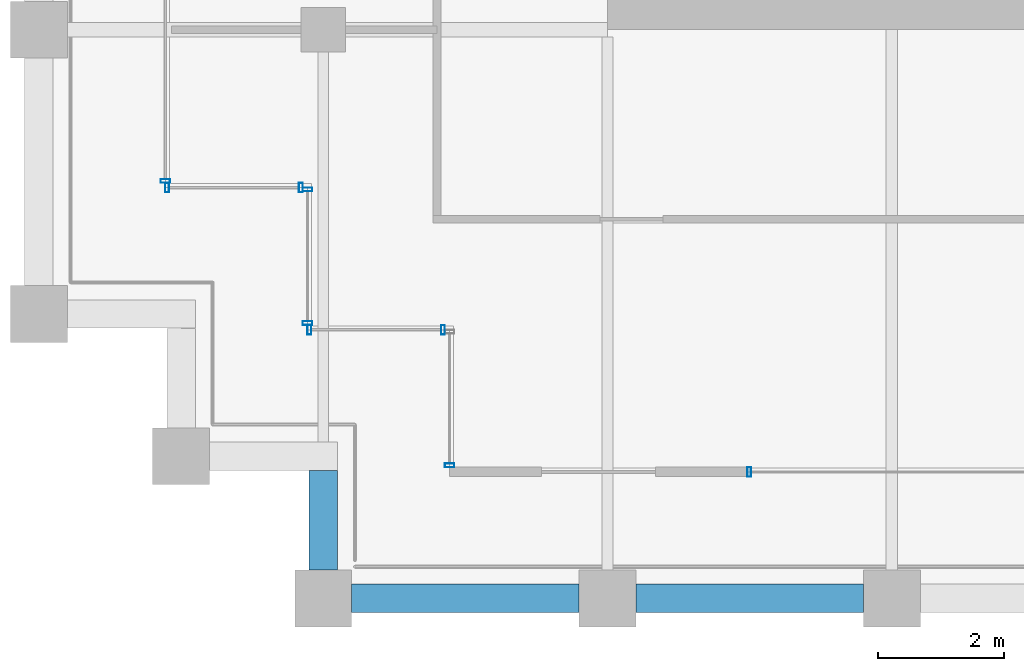
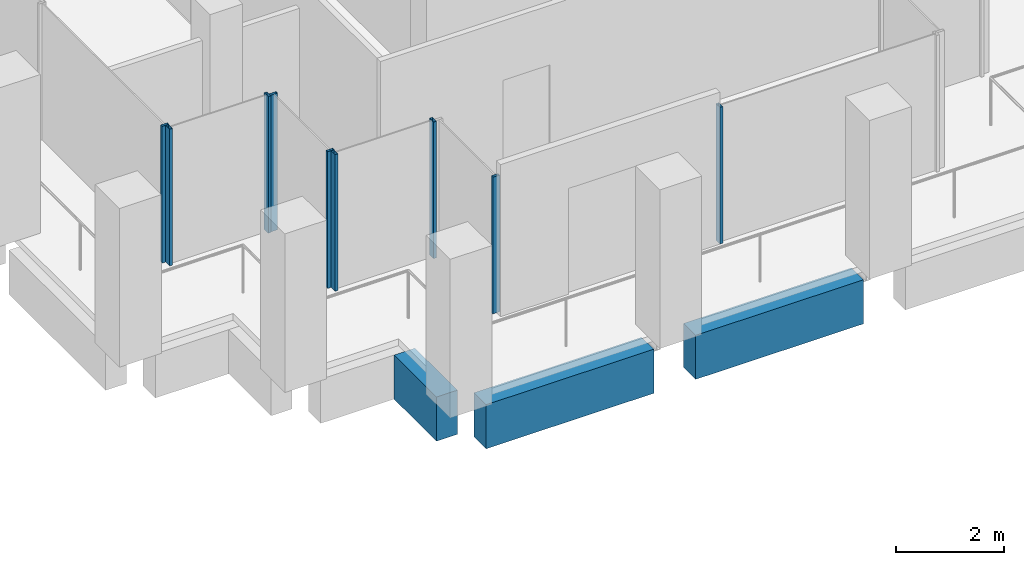
# One storey, part 28 of 40: 9 members, 3 beams, 6 elements without a shape of their own.
"""IFC4 building model written with IfcOpenShell, lengths in metres."""

from ifc_helpers import new_model, si_unit, direction, frame, origin, origin_2d, place, context, subcontext, project, spatial, rectangle, hollow_rectangle, extrude, material, material_profile, profile_set, type_object, element, aggregate, save


model = new_model("IFC4")

# Units and contexts
model_context = context("Model", 3, precision=1e-05, world=origin(), true_north=direction((0.0, 1.0)))
body_context = subcontext(model_context, "Body", "Model", "MODEL_VIEW")
ifc_project = project(units=[si_unit("LENGTHUNIT", "METRE"), si_unit("AREAUNIT", "SQUARE_METRE"), si_unit("VOLUMEUNIT", "CUBIC_METRE"), si_unit("PLANEANGLEUNIT", "RADIAN"), si_unit("MASSUNIT", "GRAM", prefix="KILO")], contexts=[model_context])

# Site, building, storey
site_placement = place(None, origin())
site = spatial("IfcSite", under=ifc_project, at=site_placement, CompositionType="ELEMENT")
building_placement = place(site_placement, origin())
building = spatial("IfcBuilding", under=site, at=building_placement, Name="Altepetl Exchange Towers", CompositionType="ELEMENT")
storey_placement = place(building_placement, frame((0.0, 0.0, 158.199951171875)))
storey = spatial("IfcBuildingStorey", under=building, at=storey_placement, Name="L39", CompositionType="ELEMENT", Elevation=158.199951171875)

# Curtain wall, member
ifc_material_1 = material(Name="Aluminium 6063-T6 glazing", Category="aluminium")
curtain_wall_type = type_object("IfcCurtainWallType", Name="Loggia glazing system", PredefinedType="NOTDEFINED", material=ifc_material_1)
curtain_wall_1_placement = place(storey_placement, origin())
curtain_wall_1 = element("IfcCurtainWall", 1, at=curtain_wall_1_placement, inside=storey, type_object=curtain_wall_type, Name="CW1 run", PredefinedType="NOTDEFINED")
ifc_material_2 = material(Name="Aluminium 6063-T6", Category="aluminium")
ifc_material_profile_1 = material_profile(ifc_material_2, hollow_rectangle(XDim=0.06005859375, YDim=0.14990234375, WallThickness=0.0029296875, at=origin_2d()), Name="Mullion 60x150 aluminium")
ifc_profile_set_1 = profile_set([ifc_material_profile_1], Name="Aluminium 6063-T6")
member_type = type_object("IfcMemberType", Name="Mullion 60x150 aluminium", PredefinedType="MULLION", material=ifc_profile_set_1)
member_1_placement = place(storey_placement, frame((101.0, 29.10498046875, 0.0), z_axis=(0.0, 0.0, 1.0), x_axis=(0.0, -1.0, 0.0)))
member_1 = element("IfcMember", 2, at=member_1_placement, type_object=member_type, Name="MU1 mullion", PredefinedType="MULLION", context=body_context, shape_type="SweptSolid", body=[
    extrude(hollow_rectangle(XDim=0.06005859375, YDim=0.14990234375, WallThickness=0.0029296875, at=origin_2d()), origin(), (0.0, 0.0, 1.0), 3.10009765625),
])
aggregate(curtain_wall_1, [member_1])

curtain_wall_2_placement = place(storey_placement, origin())
curtain_wall_2 = element("IfcCurtainWall", 3, at=curtain_wall_2_placement, inside=storey, type_object=curtain_wall_type, Name="CW1 run", PredefinedType="NOTDEFINED")
member_2_placement = place(storey_placement, frame((105.742431640625, 29.0, 0.0)))
member_2 = element("IfcMember", 4, at=member_2_placement, type_object=member_type, Name="MU1 mullion", PredefinedType="MULLION", context=body_context, shape_type="SweptSolid", body=[
    extrude(hollow_rectangle(XDim=0.06005859375, YDim=0.14990234375, WallThickness=0.0029296875, at=origin_2d()), origin(), (0.0, 0.0, 1.0), 3.10009765625),
])
aggregate(curtain_wall_2, [member_2])

curtain_wall_3_placement = place(storey_placement, origin())
curtain_wall_3 = element("IfcCurtainWall", 5, at=curtain_wall_3_placement, inside=storey, type_object=curtain_wall_type, Name="CW1 run", PredefinedType="NOTDEFINED")
member_3_placement = place(storey_placement, frame((96.5, 33.60498046875, 0.0), z_axis=(0.0, 0.0, 1.0), x_axis=(0.0, -1.0, 0.0)))
member_3 = element("IfcMember", 6, at=member_3_placement, type_object=member_type, Name="MU1 mullion", PredefinedType="MULLION", context=body_context, shape_type="SweptSolid", body=[
    extrude(hollow_rectangle(XDim=0.06005859375, YDim=0.14990234375, WallThickness=0.0029296875, at=origin_2d()), origin(), (0.0, 0.0, 1.0), 3.10009765625),
])
aggregate(curtain_wall_3, [member_3])

# Curtain wall, members
curtain_wall_4_placement = place(storey_placement, origin())
curtain_wall_4 = element("IfcCurtainWall", 7, at=curtain_wall_4_placement, inside=storey, type_object=curtain_wall_type, Name="CW1 run", PredefinedType="NOTDEFINED")
member_4_placement = place(storey_placement, frame((96.530029296875, 33.5, 0.0)))
member_4 = element("IfcMember", 8, at=member_4_placement, type_object=member_type, Name="MU1 mullion", PredefinedType="MULLION", context=body_context, shape_type="SweptSolid", body=[
    extrude(hollow_rectangle(XDim=0.06005859375, YDim=0.14990234375, WallThickness=0.0029296875, at=origin_2d()), origin(), (0.0, 0.0, 1.0), 3.10009765625),
])
member_5_placement = place(storey_placement, frame((98.64501953125, 33.5, 0.0)))
member_5 = element("IfcMember", 9, at=member_5_placement, type_object=member_type, Name="MU1 mullion", PredefinedType="MULLION", context=body_context, shape_type="SweptSolid", body=[
    extrude(hollow_rectangle(XDim=0.06005859375, YDim=0.14990234375, WallThickness=0.0029296875, at=origin_2d()), origin(), (0.0, 0.0, 1.0), 3.10009765625),
])
aggregate(curtain_wall_4, [member_4, member_5])

curtain_wall_5_placement = place(storey_placement, origin())
curtain_wall_5 = element("IfcCurtainWall", 10, at=curtain_wall_5_placement, inside=storey, type_object=curtain_wall_type, Name="CW1 run", PredefinedType="NOTDEFINED")
member_6_placement = place(storey_placement, frame((98.75, 33.469970703125, 0.0), z_axis=(0.0, 0.0, 1.0), x_axis=(0.0, -1.0, 0.0)))
member_6 = element("IfcMember", 11, at=member_6_placement, type_object=member_type, Name="MU1 mullion", PredefinedType="MULLION", context=body_context, shape_type="SweptSolid", body=[
    extrude(hollow_rectangle(XDim=0.06005859375, YDim=0.14990234375, WallThickness=0.0029296875, at=origin_2d()), origin(), (0.0, 0.0, 1.0), 3.10009765625),
])
member_7_placement = place(storey_placement, frame((98.75, 31.35498046875, 0.0), z_axis=(0.0, 0.0, 1.0), x_axis=(0.0, -1.0, 0.0)))
member_7 = element("IfcMember", 12, at=member_7_placement, type_object=member_type, Name="MU1 mullion", PredefinedType="MULLION", context=body_context, shape_type="SweptSolid", body=[
    extrude(hollow_rectangle(XDim=0.06005859375, YDim=0.14990234375, WallThickness=0.0029296875, at=origin_2d()), origin(), (0.0, 0.0, 1.0), 3.10009765625),
])
aggregate(curtain_wall_5, [member_6, member_7])

curtain_wall_6_placement = place(storey_placement, origin())
curtain_wall_6 = element("IfcCurtainWall", 13, at=curtain_wall_6_placement, inside=storey, type_object=curtain_wall_type, Name="CW1 run", PredefinedType="NOTDEFINED")
member_8_placement = place(storey_placement, frame((98.780029296875, 31.25, 0.0)))
member_8 = element("IfcMember", 14, at=member_8_placement, type_object=member_type, Name="MU1 mullion", PredefinedType="MULLION", context=body_context, shape_type="SweptSolid", body=[
    extrude(hollow_rectangle(XDim=0.06005859375, YDim=0.14990234375, WallThickness=0.0029296875, at=origin_2d()), origin(), (0.0, 0.0, 1.0), 3.10009765625),
])
member_9_placement = place(storey_placement, frame((100.89501953125, 31.25, 0.0)))
member_9 = element("IfcMember", 15, at=member_9_placement, type_object=member_type, Name="MU1 mullion", PredefinedType="MULLION", context=body_context, shape_type="SweptSolid", body=[
    extrude(hollow_rectangle(XDim=0.06005859375, YDim=0.14990234375, WallThickness=0.0029296875, at=origin_2d()), origin(), (0.0, 0.0, 1.0), 3.10009765625),
])
aggregate(curtain_wall_6, [member_8, member_9])

# Beams
ifc_material_3 = material(Name="Concrete C50/60 precast with tezontle facing", Category="concrete")
ifc_material_profile_2 = material_profile(ifc_material_3, rectangle(XDim=0.449951171875, YDim=1.0, at=origin_2d()), Name="450 x 1000")
ifc_profile_set_2 = profile_set([ifc_material_profile_2], Name="Concrete C50/60 precast with tezontle facing")
beam_type = type_object("IfcBeamType", Name="Spandrel beam 450x1000 tezontle", PredefinedType="SPANDREL", material=ifc_profile_set_2)
for number, where, z_axis, x_axis, name in (
    (16, (99.449951171875, 27.0, -0.64990234375), (1.0, 0.0, 0.0), (0.0, 1.0, 0.0), "sp:B:L39:000"),
    (17, (103.949951171875, 27.0, -0.64990234375), (1.0, 0.0, 0.0), (0.0, 1.0, 0.0), "sp:B:L39:001"),
):
    element("IfcBeam", number, at=place(storey_placement, frame(where, z_axis=z_axis, x_axis=x_axis)), inside=storey, type_object=beam_type, Name=name, PredefinedType="SPANDREL", context=body_context, shape_type="SweptSolid", body=[
        extrude(rectangle(XDim=0.449951171875, YDim=1.0, at=origin_2d()), origin(), (0.0, 0.0, 1.0), 3.60009765625),
    ])
beam_placement = place(storey_placement, frame((99.0, 29.02490234375, -0.64990234375), z_axis=(0.0, -1.0, 0.0), x_axis=(1.0, 0.0, 0.0)))
element("IfcBeam", 18, at=beam_placement, inside=storey, type_object=beam_type, Name="sp:B:L39:023", PredefinedType="SPANDREL", context=body_context, shape_type="SweptSolid", body=[
    extrude(rectangle(XDim=0.449951171875, YDim=1.0, at=origin_2d()), origin(), (0.0, 0.0, 1.0), 1.574951171875),
])

save(model, "model.ifc")
